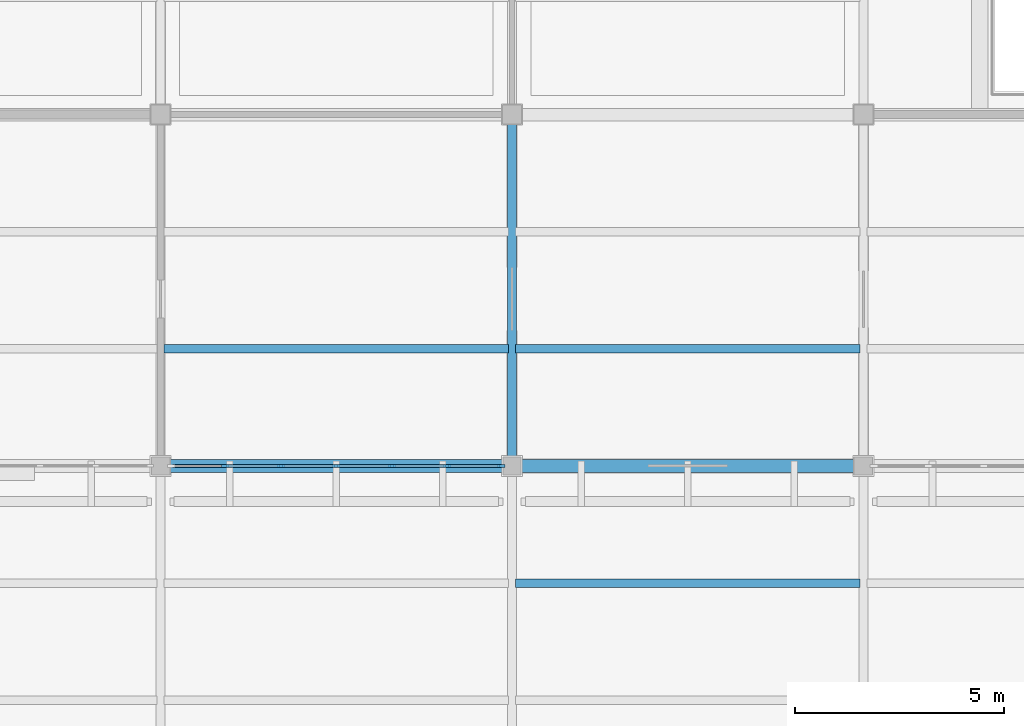
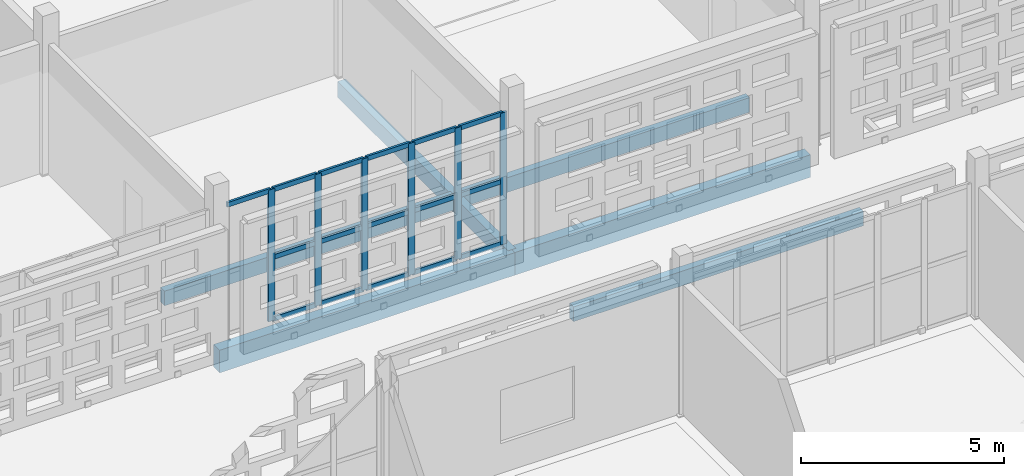
# One storey, part 74 of 203: 22 members, 6 beams, 1 element without a shape of its own.
"""IFC4 building model written with IfcOpenShell, lengths in metres."""

from ifc_helpers import new_model, si_unit, direction, frame, origin, origin_2d, place, context, subcontext, project, spatial, rectangle, extrude, material, layer, layer_set, material_profile, profile_set, type_object, element, aggregate, save


model = new_model("IFC4")

# Units and contexts
model_context = context("Model", 3, precision=1e-05, world=origin(), true_north=direction((0.0, 1.0)))
body_context = subcontext(model_context, "Body", "Model", "MODEL_VIEW")
ifc_project = project(units=[si_unit("LENGTHUNIT", "METRE"), si_unit("AREAUNIT", "SQUARE_METRE"), si_unit("VOLUMEUNIT", "CUBIC_METRE"), si_unit("PLANEANGLEUNIT", "RADIAN"), si_unit("MASSUNIT", "GRAM", prefix="KILO")], contexts=[model_context])

# Site, building, storey
site_placement = place(None, origin())
site = spatial("IfcSite", under=ifc_project, at=site_placement, CompositionType="ELEMENT")
building_placement = place(site_placement, origin())
building = spatial("IfcBuilding", under=site, at=building_placement, Name="Varnapada Polytechnic", CompositionType="ELEMENT")
storey_placement = place(building_placement, frame((0.0, 0.0, 4.800048828125)))
storey = spatial("IfcBuildingStorey", under=building, at=storey_placement, Name="L01", CompositionType="ELEMENT", Elevation=4.800048828125)

# Beams
ifc_material_1 = material(Name="Glulam GL32h", Category="wood")
ifc_material_profile_1 = material_profile(ifc_material_1, rectangle(XDim=0.199951171875, YDim=0.43994140625, at=origin_2d()), Name="GL 200x440")
ifc_profile_set_1 = profile_set([ifc_material_profile_1], Name="Glulam GL32h")
beam_type_1 = type_object("IfcBeamType", Name="Heavy laboratory glulam joist GJ-03 (GL 200x440)", PredefinedType="JOIST", material=ifc_profile_set_1)
beam_1_placement = place(storey_placement, frame((142.8798828125, 61.60009765625, -0.469970703125), z_axis=(1.0, 0.0, 0.0), x_axis=(0.0, 1.0, 0.0)))
element("IfcBeam", 1, at=beam_1_placement, inside=storey, type_object=beam_type_1, Name="L01 floor joist 18/8.1", PredefinedType="JOIST", context=body_context, shape_type="SweptSolid", body=[
    extrude(rectangle(XDim=0.199951171875, YDim=0.43994140625, at=origin_2d()), origin(), (0.0, 0.0, 1.0), 8.240234375),
])
for number, where, z_axis, x_axis, name in (
    (2, (151.280029296875, 56.0, -0.489990234375), (1.0, 0.0, 0.0), (0.0, 1.0, 0.0), "L01 floor joist 19/7.2"),
    (3, (151.280029296875, 61.60009765625, -0.469970703125), (1.0, 0.0, 0.0), (0.0, 1.0, 0.0), "L01 floor joist 19/8.1"),
):
    element("IfcBeam", number, at=place(storey_placement, frame(where, z_axis=z_axis, x_axis=x_axis)), inside=storey, type_object=beam_type_1, Name=name, PredefinedType="JOIST", context=body_context, shape_type="SweptSolid", body=[
        extrude(rectangle(XDim=0.199951171875, YDim=0.43994140625, at=origin_2d()), origin(), (0.0, 0.0, 1.0), 8.239990234375),
    ])

# Curtain wall, members
ifc_material_2 = material(Name="Double low-E laminated glass", Category="glass")
ifc_layer = layer(ifc_material_2, 0.179931640625)
ifc_layer_set = layer_set([ifc_layer], Name="Double low-E laminated glass")
curtain_wall_type = type_object("IfcCurtainWallType", Name="Curtain Wall CW-04", PredefinedType="NOTDEFINED", material=ifc_layer_set)
curtain_wall_placement = place(storey_placement, origin())
curtain_wall = element("IfcCurtainWall", 4, at=curtain_wall_placement, inside=storey, type_object=curtain_wall_type, Name="L01 unitised curtain wall CW-04 (107)", PredefinedType="NOTDEFINED")
ifc_material_3 = material(Name="Anodised aluminium", Category="aluminium")
ifc_material_profile_2 = material_profile(ifc_material_3, rectangle(XDim=0.06494140625, YDim=0.179931640625, at=origin_2d()), Name="ALU M65x180")
ifc_profile_set_2 = profile_set([ifc_material_profile_2], Name="Anodised aluminium")
member_type_1 = type_object("IfcMemberType", Name="Mullion M-02", PredefinedType="MULLION", material=ifc_profile_set_2)
member_1_placement = place(storey_placement, frame((150.947509765625, 58.800048828125, 0.0), z_axis=(0.0, 0.0, 1.0), x_axis=(0.0, -1.0, 0.0)))
member_1 = element("IfcMember", 5, at=member_1_placement, type_object=member_type_1, Name="CW-04 mullion 1", PredefinedType="MULLION", context=body_context, shape_type="SweptSolid", body=[
    extrude(rectangle(XDim=0.06494140625, YDim=0.179931640625, at=origin_2d()), origin(), (0.0, 0.0, 1.0), 3.9599609375),
])
member_2_placement = place(storey_placement, frame((149.6533203125, 58.800048828125, 0.0), z_axis=(0.0, 0.0, 1.0), x_axis=(0.0, -1.0, 0.0)))
member_2 = element("IfcMember", 6, at=member_2_placement, type_object=member_type_1, Name="CW-04 mullion 2", PredefinedType="MULLION", context=body_context, shape_type="SweptSolid", body=[
    extrude(rectangle(XDim=0.06494140625, YDim=0.179931640625, at=origin_2d()), origin(), (0.0, 0.0, 1.0), 3.9599609375),
])
member_3_placement = place(storey_placement, frame((148.32666015625, 58.800048828125, 0.0), z_axis=(0.0, 0.0, 1.0), x_axis=(0.0, -1.0, 0.0)))
member_3 = element("IfcMember", 7, at=member_3_placement, type_object=member_type_1, Name="CW-04 mullion 3", PredefinedType="MULLION", context=body_context, shape_type="SweptSolid", body=[
    extrude(rectangle(XDim=0.06494140625, YDim=0.179931640625, at=origin_2d()), origin(), (0.0, 0.0, 1.0), 3.9599609375),
])
member_4_placement = place(storey_placement, frame((147.0, 58.800048828125, 0.0), z_axis=(0.0, 0.0, 1.0), x_axis=(0.0, -1.0, 0.0)))
member_4 = element("IfcMember", 8, at=member_4_placement, type_object=member_type_1, Name="CW-04 mullion 4", PredefinedType="MULLION", context=body_context, shape_type="SweptSolid", body=[
    extrude(rectangle(XDim=0.06494140625, YDim=0.179931640625, at=origin_2d()), origin(), (0.0, 0.0, 1.0), 3.9599609375),
])
member_5_placement = place(storey_placement, frame((145.67333984375, 58.800048828125, 0.0), z_axis=(0.0, 0.0, 1.0), x_axis=(0.0, -1.0, 0.0)))
member_5 = element("IfcMember", 9, at=member_5_placement, type_object=member_type_1, Name="CW-04 mullion 5", PredefinedType="MULLION", context=body_context, shape_type="SweptSolid", body=[
    extrude(rectangle(XDim=0.06494140625, YDim=0.179931640625, at=origin_2d()), origin(), (0.0, 0.0, 1.0), 3.9599609375),
])
member_6_placement = place(storey_placement, frame((144.3466796875, 58.800048828125, 0.0), z_axis=(0.0, 0.0, 1.0), x_axis=(0.0, -1.0, 0.0)))
member_6 = element("IfcMember", 10, at=member_6_placement, type_object=member_type_1, Name="CW-04 mullion 6", PredefinedType="MULLION", context=body_context, shape_type="SweptSolid", body=[
    extrude(rectangle(XDim=0.06494140625, YDim=0.179931640625, at=origin_2d()), origin(), (0.0, 0.0, 1.0), 3.9599609375),
])
ifc_material_profile_3 = material_profile(ifc_material_3, rectangle(XDim=0.06494140625, YDim=0.139892578125, at=origin_2d()), Name="ALU T65x140")
ifc_profile_set_3 = profile_set([ifc_material_profile_3], Name="Anodised aluminium")
member_type_2 = type_object("IfcMemberType", Name="Transom T-02", PredefinedType="USERDEFINED", material=ifc_profile_set_3)
member_7_placement = place(storey_placement, frame((150.9150390625, 58.800048828125, 0.032470703125), z_axis=(-1.0, 0.0, 0.0), x_axis=(0.0, -1.0, 0.0)))
member_7 = element("IfcMember", 11, at=member_7_placement, type_object=member_type_2, Name="CW-04 transom 1.1", ObjectType="TRANSOM", PredefinedType="USERDEFINED", context=body_context, shape_type="SweptSolid", body=[
    extrude(rectangle(XDim=0.06494140625, YDim=0.139892578125, at=origin_2d()), origin(), (0.0, 0.0, 1.0), 1.229248046875),
])
member_8_placement = place(storey_placement, frame((150.9150390625, 58.800048828125, 1.900634765625), z_axis=(-1.0, 0.0, 0.0), x_axis=(0.0, -1.0, 0.0)))
member_8 = element("IfcMember", 12, at=member_8_placement, type_object=member_type_2, Name="CW-04 transom 1.2", ObjectType="TRANSOM", PredefinedType="USERDEFINED", context=body_context, shape_type="SweptSolid", body=[
    extrude(rectangle(XDim=0.06494140625, YDim=0.139892578125, at=origin_2d()), origin(), (0.0, 0.0, 1.0), 1.229248046875),
])
member_9_placement = place(storey_placement, frame((150.9150390625, 58.800048828125, 3.927490234375), z_axis=(-1.0, 0.0, 0.0), x_axis=(0.0, -1.0, 0.0)))
member_9 = element("IfcMember", 13, at=member_9_placement, type_object=member_type_2, Name="CW-04 transom 1.3", ObjectType="TRANSOM", PredefinedType="USERDEFINED", context=body_context, shape_type="SweptSolid", body=[
    extrude(rectangle(XDim=0.06494140625, YDim=0.139892578125, at=origin_2d()), origin(), (0.0, 0.0, 1.0), 1.229248046875),
])
member_10_placement = place(storey_placement, frame((149.620849609375, 58.800048828125, 0.032470703125), z_axis=(-1.0, 0.0, 0.0), x_axis=(0.0, -1.0, 0.0)))
member_10 = element("IfcMember", 14, at=member_10_placement, type_object=member_type_2, Name="CW-04 transom 2.1", ObjectType="TRANSOM", PredefinedType="USERDEFINED", context=body_context, shape_type="SweptSolid", body=[
    extrude(rectangle(XDim=0.06494140625, YDim=0.139892578125, at=origin_2d()), origin(), (0.0, 0.0, 1.0), 1.26171875),
])
member_11_placement = place(storey_placement, frame((149.620849609375, 58.800048828125, 1.900634765625), z_axis=(-1.0, 0.0, 0.0), x_axis=(0.0, -1.0, 0.0)))
member_11 = element("IfcMember", 15, at=member_11_placement, type_object=member_type_2, Name="CW-04 transom 2.2", ObjectType="TRANSOM", PredefinedType="USERDEFINED", context=body_context, shape_type="SweptSolid", body=[
    extrude(rectangle(XDim=0.06494140625, YDim=0.139892578125, at=origin_2d()), origin(), (0.0, 0.0, 1.0), 1.26171875),
])
member_12_placement = place(storey_placement, frame((149.620849609375, 58.800048828125, 3.927490234375), z_axis=(-1.0, 0.0, 0.0), x_axis=(0.0, -1.0, 0.0)))
member_12 = element("IfcMember", 16, at=member_12_placement, type_object=member_type_2, Name="CW-04 transom 2.3", ObjectType="TRANSOM", PredefinedType="USERDEFINED", context=body_context, shape_type="SweptSolid", body=[
    extrude(rectangle(XDim=0.06494140625, YDim=0.139892578125, at=origin_2d()), origin(), (0.0, 0.0, 1.0), 1.26171875),
])
member_13_placement = place(storey_placement, frame((148.294189453125, 58.800048828125, 0.032470703125), z_axis=(-1.0, 0.0, 0.0), x_axis=(0.0, -1.0, 0.0)))
member_13 = element("IfcMember", 17, at=member_13_placement, type_object=member_type_2, Name="CW-04 transom 3.1", ObjectType="TRANSOM", PredefinedType="USERDEFINED", context=body_context, shape_type="SweptSolid", body=[
    extrude(rectangle(XDim=0.06494140625, YDim=0.139892578125, at=origin_2d()), origin(), (0.0, 0.0, 1.0), 1.26171875),
])
member_14_placement = place(storey_placement, frame((148.294189453125, 58.800048828125, 1.900634765625), z_axis=(-1.0, 0.0, 0.0), x_axis=(0.0, -1.0, 0.0)))
member_14 = element("IfcMember", 18, at=member_14_placement, type_object=member_type_2, Name="CW-04 transom 3.2", ObjectType="TRANSOM", PredefinedType="USERDEFINED", context=body_context, shape_type="SweptSolid", body=[
    extrude(rectangle(XDim=0.06494140625, YDim=0.139892578125, at=origin_2d()), origin(), (0.0, 0.0, 1.0), 1.26171875),
])
member_15_placement = place(storey_placement, frame((148.294189453125, 58.800048828125, 3.927490234375), z_axis=(-1.0, 0.0, 0.0), x_axis=(0.0, -1.0, 0.0)))
member_15 = element("IfcMember", 19, at=member_15_placement, type_object=member_type_2, Name="CW-04 transom 3.3", ObjectType="TRANSOM", PredefinedType="USERDEFINED", context=body_context, shape_type="SweptSolid", body=[
    extrude(rectangle(XDim=0.06494140625, YDim=0.139892578125, at=origin_2d()), origin(), (0.0, 0.0, 1.0), 1.26171875),
])
member_16_placement = place(storey_placement, frame((146.967529296875, 58.800048828125, 0.032470703125), z_axis=(-1.0, 0.0, 0.0), x_axis=(0.0, -1.0, 0.0)))
member_16 = element("IfcMember", 20, at=member_16_placement, type_object=member_type_2, Name="CW-04 transom 4.1", ObjectType="TRANSOM", PredefinedType="USERDEFINED", context=body_context, shape_type="SweptSolid", body=[
    extrude(rectangle(XDim=0.06494140625, YDim=0.139892578125, at=origin_2d()), origin(), (0.0, 0.0, 1.0), 1.26171875),
])
member_17_placement = place(storey_placement, frame((146.967529296875, 58.800048828125, 1.900634765625), z_axis=(-1.0, 0.0, 0.0), x_axis=(0.0, -1.0, 0.0)))
member_17 = element("IfcMember", 21, at=member_17_placement, type_object=member_type_2, Name="CW-04 transom 4.2", ObjectType="TRANSOM", PredefinedType="USERDEFINED", context=body_context, shape_type="SweptSolid", body=[
    extrude(rectangle(XDim=0.06494140625, YDim=0.139892578125, at=origin_2d()), origin(), (0.0, 0.0, 1.0), 1.26171875),
])
member_18_placement = place(storey_placement, frame((146.967529296875, 58.800048828125, 3.927490234375), z_axis=(-1.0, 0.0, 0.0), x_axis=(0.0, -1.0, 0.0)))
member_18 = element("IfcMember", 22, at=member_18_placement, type_object=member_type_2, Name="CW-04 transom 4.3", ObjectType="TRANSOM", PredefinedType="USERDEFINED", context=body_context, shape_type="SweptSolid", body=[
    extrude(rectangle(XDim=0.06494140625, YDim=0.139892578125, at=origin_2d()), origin(), (0.0, 0.0, 1.0), 1.26171875),
])
member_19_placement = place(storey_placement, frame((145.640869140625, 58.800048828125, 0.032470703125), z_axis=(-1.0, 0.0, 0.0), x_axis=(0.0, -1.0, 0.0)))
member_19 = element("IfcMember", 23, at=member_19_placement, type_object=member_type_2, Name="CW-04 transom 5.1", ObjectType="TRANSOM", PredefinedType="USERDEFINED", context=body_context, shape_type="SweptSolid", body=[
    extrude(rectangle(XDim=0.06494140625, YDim=0.139892578125, at=origin_2d()), origin(), (0.0, 0.0, 1.0), 1.26171875),
])
member_20_placement = place(storey_placement, frame((145.640869140625, 58.800048828125, 1.900634765625), z_axis=(-1.0, 0.0, 0.0), x_axis=(0.0, -1.0, 0.0)))
member_20 = element("IfcMember", 24, at=member_20_placement, type_object=member_type_2, Name="CW-04 transom 5.2", ObjectType="TRANSOM", PredefinedType="USERDEFINED", context=body_context, shape_type="SweptSolid", body=[
    extrude(rectangle(XDim=0.06494140625, YDim=0.139892578125, at=origin_2d()), origin(), (0.0, 0.0, 1.0), 1.26171875),
])
member_21_placement = place(storey_placement, frame((145.640869140625, 58.800048828125, 3.927490234375), z_axis=(-1.0, 0.0, 0.0), x_axis=(0.0, -1.0, 0.0)))
member_21 = element("IfcMember", 25, at=member_21_placement, type_object=member_type_2, Name="CW-04 transom 5.3", ObjectType="TRANSOM", PredefinedType="USERDEFINED", context=body_context, shape_type="SweptSolid", body=[
    extrude(rectangle(XDim=0.06494140625, YDim=0.139892578125, at=origin_2d()), origin(), (0.0, 0.0, 1.0), 1.26171875),
])
member_22_placement = place(storey_placement, frame((144.314208984375, 58.800048828125, 3.927490234375), z_axis=(-1.0, 0.0, 0.0), x_axis=(0.0, -1.0, 0.0)))
member_22 = element("IfcMember", 26, at=member_22_placement, type_object=member_type_2, Name="CW-04 transom 6.3", ObjectType="TRANSOM", PredefinedType="USERDEFINED", context=body_context, shape_type="SweptSolid", body=[
    extrude(rectangle(XDim=0.06494140625, YDim=0.139892578125, at=origin_2d()), origin(), (0.0, 0.0, 1.0), 1.229248046875),
])
aggregate(curtain_wall, [member_1, member_2, member_3, member_4, member_5, member_6, member_7, member_8, member_9, member_10, member_11, member_12, member_13, member_14, member_15, member_16, member_17, member_18, member_19, member_20, member_21, member_22])

# Beams
ifc_material_profile_4 = material_profile(ifc_material_1, rectangle(XDim=0.219970703125, YDim=0.47998046875, at=origin_2d()), Name="GL 220x480")
ifc_profile_set_4 = profile_set([ifc_material_profile_4], Name="Glulam GL32h")
beam_type_2 = type_object("IfcBeamType", Name="Upper floor glulam tie beam GB-11 (GL 220x480)", PredefinedType="BEAM", material=ifc_profile_set_4)
beam_2_placement = place(storey_placement, frame((151.199951171875, 58.800048828125, -0.510009765625), z_axis=(0.0, 1.0, 0.0), x_axis=(-1.0, 0.0, 0.0)))
element("IfcBeam", 27, at=beam_2_placement, inside=storey, type_object=beam_type_2, Name="L01 beam Y 8-9 at X19", PredefinedType="BEAM", context=body_context, shape_type="SweptSolid", body=[
    extrude(rectangle(XDim=0.219970703125, YDim=0.47998046875, at=origin_2d()), origin(), (0.0, 0.0, 1.0), 8.39990234375),
])
ifc_material_profile_5 = material_profile(ifc_material_1, rectangle(XDim=0.300048828125, YDim=0.679931640625, at=origin_2d()), Name="GL 300x680")
ifc_profile_set_5 = profile_set([ifc_material_profile_5], Name="Glulam GL32h")
beam_type_3 = type_object("IfcBeamType", Name="Wet laboratory glulam girder GG-04 (GL 300x680)", PredefinedType="BEAM", material=ifc_profile_set_5)
beam_3_placement = place(storey_placement, frame((142.800048828125, 58.800048828125, -0.610107421875), z_axis=(1.0, 0.0, 0.0), x_axis=(0.0, 1.0, 0.0)))
element("IfcBeam", 28, at=beam_3_placement, inside=storey, type_object=beam_type_3, Name="L01 beam X 18-19 at Y8", PredefinedType="BEAM", context=body_context, shape_type="SweptSolid", body=[
    extrude(rectangle(XDim=0.300048828125, YDim=0.679931640625, at=origin_2d()), origin(), (0.0, 0.0, 1.0), 8.39990234375),
])
beam_4_placement = place(storey_placement, frame((151.199951171875, 58.800048828125, -0.610107421875), z_axis=(1.0, 0.0, 0.0), x_axis=(0.0, 1.0, 0.0)))
element("IfcBeam", 29, at=beam_4_placement, inside=storey, type_object=beam_type_3, Name="L01 beam X 19-20 at Y8", PredefinedType="BEAM", context=body_context, shape_type="SweptSolid", body=[
    extrude(rectangle(XDim=0.300048828125, YDim=0.679931640625, at=origin_2d()), origin(), (0.0, 0.0, 1.0), 8.400146484375),
])

save(model, "model.ifc")
